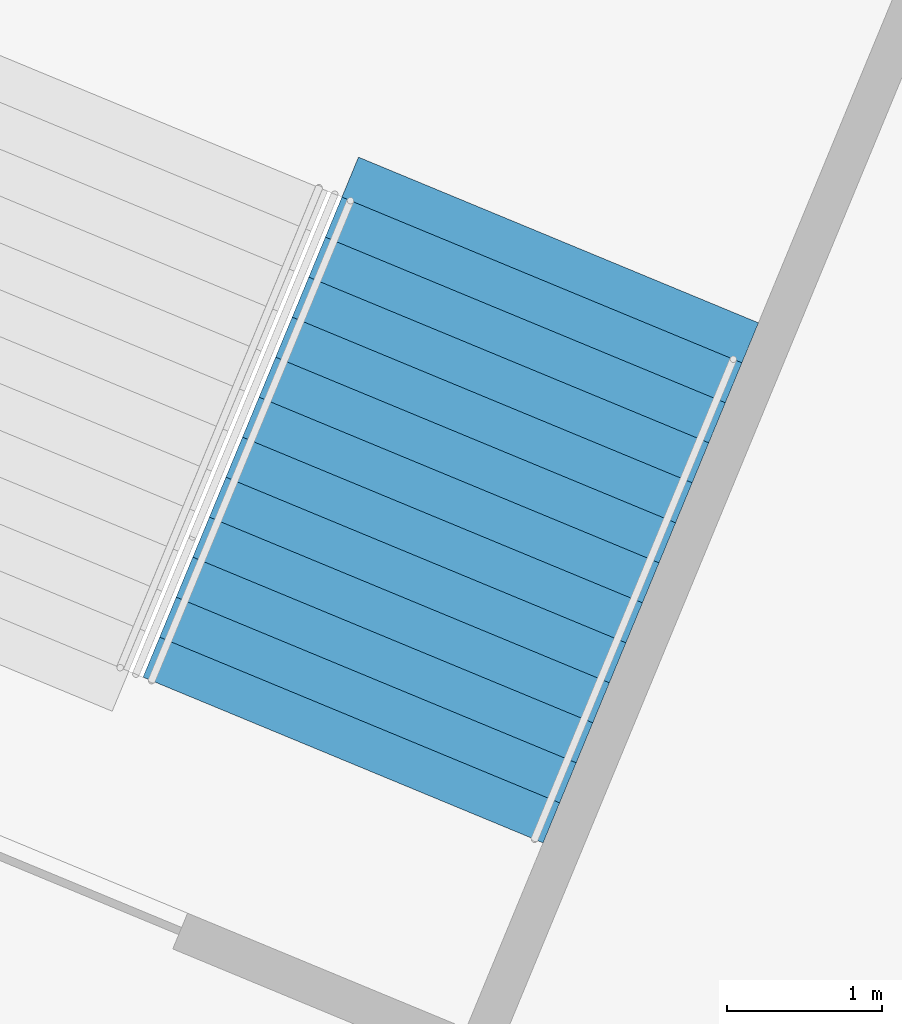
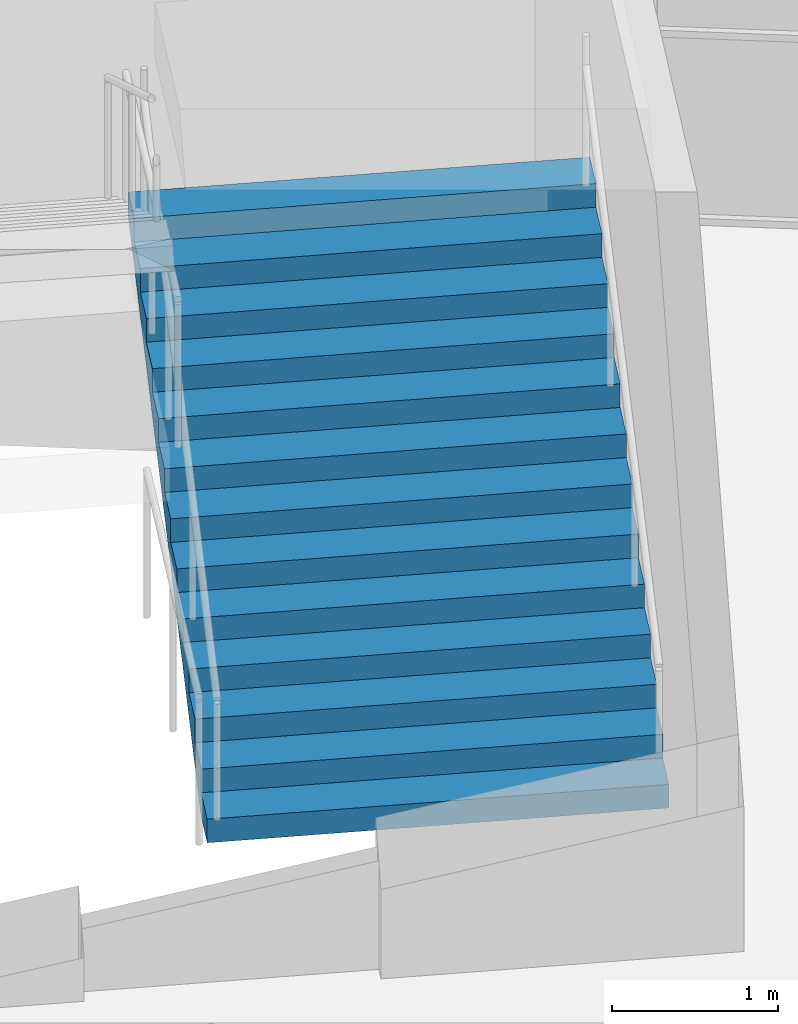
# One storey, part 232 of 249: 1 stair flight, 1 element without a shape of its own.
"""IFC4 building model written with IfcOpenShell, lengths in metres."""

from ifc_helpers import new_model, si_unit, direction, frame, origin, place, context, subcontext, project, spatial, faceted_brep, material, type_object, element, aggregate, save


model = new_model("IFC4")

# Units and contexts
model_context = context("Model", 3, precision=1e-05, world=origin(), true_north=direction((0.0, 1.0)))
body_context = subcontext(model_context, "Body", "Model", "MODEL_VIEW")
ifc_project = project(units=[si_unit("LENGTHUNIT", "METRE"), si_unit("AREAUNIT", "SQUARE_METRE"), si_unit("VOLUMEUNIT", "CUBIC_METRE"), si_unit("PLANEANGLEUNIT", "RADIAN"), si_unit("MASSUNIT", "GRAM", prefix="KILO")], contexts=[model_context])

# Site, building, storey
site_placement = place(None, origin())
site = spatial("IfcSite", under=ifc_project, at=site_placement, CompositionType="ELEMENT")
building_placement = place(site_placement, origin())
building = spatial("IfcBuilding", under=site, at=building_placement, Name="Ogive Plaza Stadium", CompositionType="ELEMENT")
storey_placement = place(building_placement, frame((0.0, 0.0, 13.5)))
storey = spatial("IfcBuildingStorey", under=building, at=storey_placement, Name="L03", CompositionType="ELEMENT", Elevation=13.5)

# Stair, stair flight
ifc_material_1 = material(Name="Concrete C40/50", Category="concrete")
stair_type = type_object("IfcStairType", Name="Exit stair", PredefinedType="STRAIGHT_RUN_STAIR", material=ifc_material_1)
stair_placement = place(storey_placement, origin())
stair = element("IfcStair", 1, at=stair_placement, inside=storey, type_object=stair_type, Name="Exit stair ST38A L03 to L04", PredefinedType="STRAIGHT_RUN_STAIR")
ifc_material_2 = material(Name="Concrete C40/50", Category="concrete")
stair_flight_type = type_object("IfcStairFlightType", Name="Exit stair flight", PredefinedType="STRAIGHT", material=ifc_material_2)
stair_flight_placement = place(storey_placement, frame((54.294921875, 89.932861328125, 0.0), z_axis=(0.0, 0.0, 1.0), x_axis=(0.382683432365, 0.923879532511, 0.0)))
stair_flight = element("IfcStairFlight", 2, at=stair_flight_placement, type_object=stair_flight_type, Name="ST38A flight 1", NumberOfRisers=13, NumberOfTreads=12, PredefinedType="STRAIGHT", RiserHeight=0.173076923, TreadLength=0.28, context=body_context, shape_type="Brep", body=[
    faceted_brep([(0.28515625, -1.39990234375, 0.0), (3.639892578125, -1.39990234375, 2.07373046875), (3.639892578125, -1.39990234375, 2.25), (3.360107421875, -1.39990234375, 2.25), (3.360107421875, -1.39990234375, 2.076904296875), (3.080078125, -1.39990234375, 2.076904296875), (3.080078125, -1.39990234375, 1.90380859375), (2.800048828125, -1.39990234375, 1.90380859375), (2.800048828125, -1.39990234375, 1.730712890625), (2.52001953125, -1.39990234375, 1.730712890625), (2.52001953125, -1.39990234375, 1.5576171875), (2.239990234375, -1.39990234375, 1.5576171875), (2.239990234375, -1.39990234375, 1.384521484375), (1.9599609375, -1.39990234375, 1.384521484375), (1.9599609375, -1.39990234375, 1.21142578125), (1.679931640625, -1.39990234375, 1.21142578125), (1.679931640625, -1.39990234375, 1.03857421875), (1.39990234375, -1.39990234375, 1.03857421875), (1.39990234375, -1.39990234375, 0.865478515625), (1.1201171875, -1.39990234375, 0.865478515625), (1.1201171875, -1.39990234375, 0.6923828125), (0.840087890625, -1.39990234375, 0.6923828125), (0.840087890625, -1.39990234375, 0.519287109375), (0.56005859375, -1.39990234375, 0.519287109375), (0.56005859375, -1.39990234375, 0.34619140625), (0.280029296875, -1.39990234375, 0.34619140625), (0.280029296875, -1.39990234375, 0.173095703125), (0.0, -1.39990234375, 0.173095703125), (0.0, -1.39990234375, 0.0), (0.0, 1.39990234375, 0.0), (0.0, 1.39990234375, 0.173095703125), (0.280029296875, 1.39990234375, 0.173095703125), (0.280029296875, 1.39990234375, 0.34619140625), (0.56005859375, 1.39990234375, 0.34619140625), (0.56005859375, 1.39990234375, 0.519287109375), (0.840087890625, 1.39990234375, 0.519287109375), (0.840087890625, 1.39990234375, 0.6923828125), (1.1201171875, 1.39990234375, 0.6923828125), (1.1201171875, 1.39990234375, 0.865478515625), (1.39990234375, 1.39990234375, 0.865478515625), (1.39990234375, 1.39990234375, 1.03857421875), (1.679931640625, 1.39990234375, 1.03857421875), (1.679931640625, 1.39990234375, 1.21142578125), (1.9599609375, 1.39990234375, 1.21142578125), (1.9599609375, 1.39990234375, 1.384521484375), (2.239990234375, 1.39990234375, 1.384521484375), (2.239990234375, 1.39990234375, 1.5576171875), (2.52001953125, 1.39990234375, 1.5576171875), (2.52001953125, 1.39990234375, 1.730712890625), (2.800048828125, 1.39990234375, 1.730712890625), (2.800048828125, 1.39990234375, 1.90380859375), (3.080078125, 1.39990234375, 1.90380859375), (3.080078125, 1.39990234375, 2.076904296875), (3.360107421875, 1.39990234375, 2.076904296875), (3.360107421875, 1.39990234375, 2.25), (3.639892578125, 1.39990234375, 2.25), (3.639892578125, 1.39990234375, 2.07373046875), (0.28515625, 1.39990234375, 0.0), (0.28515625, -1.0888671875, 0.0), (3.639892578125, -1.0888671875, 2.07373046875), (0.28515625, -0.77783203125, 0.0), (3.639892578125, -0.77783203125, 2.07373046875), (0.28515625, -0.466796875, 0.0), (3.639892578125, -0.466796875, 2.07373046875), (0.28515625, -0.155517578125, 0.0), (3.639892578125, -0.155517578125, 2.07373046875), (0.28515625, 0.155517578125, 0.0), (3.639892578125, 0.155517578125, 2.07373046875), (0.28515625, 0.466796875, 0.0), (3.639892578125, 0.466796875, 2.07373046875), (0.28515625, 0.77783203125, 0.0), (3.639892578125, 0.77783203125, 2.07373046875), (0.28515625, 1.0888671875, 0.0), (3.639892578125, 1.0888671875, 2.07373046875), (3.639892578125, -1.0888671875, 2.25), (3.639892578125, -0.77783203125, 2.25), (3.639892578125, -0.466796875, 2.25), (3.639892578125, -0.155517578125, 2.25), (3.639892578125, 0.155517578125, 2.25), (3.639892578125, 0.466796875, 2.25), (3.639892578125, 0.77783203125, 2.25), (3.639892578125, 1.0888671875, 2.25), (3.360107421875, -1.0888671875, 2.25), (3.360107421875, -0.77783203125, 2.25), (3.360107421875, -0.466796875, 2.25), (3.360107421875, -0.155517578125, 2.25), (3.360107421875, 0.155517578125, 2.25), (3.360107421875, 0.466796875, 2.25), (3.360107421875, 0.77783203125, 2.25), (3.360107421875, 1.0888671875, 2.25), (3.360107421875, -1.0888671875, 2.076904296875), (3.360107421875, -0.77783203125, 2.076904296875), (3.360107421875, -0.466796875, 2.076904296875), (3.360107421875, -0.155517578125, 2.076904296875), (3.360107421875, 0.155517578125, 2.076904296875), (3.360107421875, 0.466796875, 2.076904296875), (3.360107421875, 0.77783203125, 2.076904296875), (3.360107421875, 1.0888671875, 2.076904296875), (3.080078125, -1.0888671875, 2.076904296875), (3.080078125, -0.77783203125, 2.076904296875), (3.080078125, -0.466796875, 2.076904296875), (3.080078125, -0.155517578125, 2.076904296875), (3.080078125, 0.155517578125, 2.076904296875), (3.080078125, 0.466796875, 2.076904296875), (3.080078125, 0.77783203125, 2.076904296875), (3.080078125, 1.0888671875, 2.076904296875), (3.080078125, -1.0888671875, 1.90380859375), (3.080078125, -0.77783203125, 1.90380859375), (3.080078125, -0.466796875, 1.90380859375), (3.080078125, -0.155517578125, 1.90380859375), (3.080078125, 0.155517578125, 1.90380859375), (3.080078125, 0.466796875, 1.90380859375), (3.080078125, 0.77783203125, 1.90380859375), (3.080078125, 1.0888671875, 1.90380859375), (2.800048828125, -1.0888671875, 1.90380859375), (2.800048828125, -0.77783203125, 1.90380859375), (2.800048828125, -0.466796875, 1.90380859375), (2.800048828125, -0.155517578125, 1.90380859375), (2.800048828125, 0.155517578125, 1.90380859375), (2.800048828125, 0.466796875, 1.90380859375), (2.800048828125, 0.77783203125, 1.90380859375), (2.800048828125, 1.0888671875, 1.90380859375), (2.800048828125, -1.0888671875, 1.730712890625), (2.800048828125, -0.77783203125, 1.730712890625), (2.800048828125, -0.466796875, 1.730712890625), (2.800048828125, -0.155517578125, 1.730712890625), (2.800048828125, 0.155517578125, 1.730712890625), (2.800048828125, 0.466796875, 1.730712890625), (2.800048828125, 0.77783203125, 1.730712890625), (2.800048828125, 1.0888671875, 1.730712890625), (2.52001953125, -1.0888671875, 1.730712890625), (2.52001953125, -0.77783203125, 1.730712890625), (2.52001953125, -0.466796875, 1.730712890625), (2.52001953125, -0.155517578125, 1.730712890625), (2.52001953125, 0.155517578125, 1.730712890625), (2.52001953125, 0.466796875, 1.730712890625), (2.52001953125, 0.77783203125, 1.730712890625), (2.52001953125, 1.0888671875, 1.730712890625), (2.52001953125, -1.0888671875, 1.5576171875), (2.52001953125, -0.77783203125, 1.5576171875), (2.52001953125, -0.466796875, 1.5576171875), (2.52001953125, -0.155517578125, 1.5576171875), (2.52001953125, 0.155517578125, 1.5576171875), (2.52001953125, 0.466796875, 1.5576171875), (2.52001953125, 0.77783203125, 1.5576171875), (2.52001953125, 1.0888671875, 1.5576171875), (2.239990234375, -1.0888671875, 1.5576171875), (2.239990234375, -0.77783203125, 1.5576171875), (2.239990234375, -0.466796875, 1.5576171875), (2.239990234375, -0.155517578125, 1.5576171875), (2.239990234375, 0.155517578125, 1.5576171875), (2.239990234375, 0.466796875, 1.5576171875), (2.239990234375, 0.77783203125, 1.5576171875), (2.239990234375, 1.0888671875, 1.5576171875), (2.239990234375, -1.0888671875, 1.384521484375), (2.239990234375, -0.77783203125, 1.384521484375), (2.239990234375, -0.466796875, 1.384521484375), (2.239990234375, -0.155517578125, 1.384521484375), (2.239990234375, 0.155517578125, 1.384521484375), (2.239990234375, 0.466796875, 1.384521484375), (2.239990234375, 0.77783203125, 1.384521484375), (2.239990234375, 1.0888671875, 1.384521484375), (1.9599609375, -1.0888671875, 1.384521484375), (1.9599609375, -0.77783203125, 1.384521484375), (1.9599609375, -0.466796875, 1.384521484375), (1.9599609375, -0.155517578125, 1.384521484375), (1.9599609375, 0.155517578125, 1.384521484375), (1.9599609375, 0.466796875, 1.384521484375), (1.9599609375, 0.77783203125, 1.384521484375), (1.9599609375, 1.0888671875, 1.384521484375), (1.9599609375, -1.0888671875, 1.21142578125), (1.9599609375, -0.77783203125, 1.21142578125), (1.9599609375, -0.466796875, 1.21142578125), (1.9599609375, -0.155517578125, 1.21142578125), (1.9599609375, 0.155517578125, 1.21142578125), (1.9599609375, 0.466796875, 1.21142578125), (1.9599609375, 0.77783203125, 1.21142578125), (1.9599609375, 1.0888671875, 1.21142578125), (1.679931640625, -1.0888671875, 1.21142578125), (1.679931640625, -0.77783203125, 1.21142578125), (1.679931640625, -0.466796875, 1.21142578125), (1.679931640625, -0.155517578125, 1.21142578125), (1.679931640625, 0.155517578125, 1.21142578125), (1.679931640625, 0.466796875, 1.21142578125), (1.679931640625, 0.77783203125, 1.21142578125), (1.679931640625, 1.0888671875, 1.21142578125), (1.679931640625, -1.0888671875, 1.03857421875), (1.679931640625, -0.77783203125, 1.03857421875), (1.679931640625, -0.466796875, 1.03857421875), (1.679931640625, -0.155517578125, 1.03857421875), (1.679931640625, 0.155517578125, 1.03857421875), (1.679931640625, 0.466796875, 1.03857421875), (1.679931640625, 0.77783203125, 1.03857421875), (1.679931640625, 1.0888671875, 1.03857421875), (1.39990234375, -1.0888671875, 1.03857421875), (1.39990234375, -0.77783203125, 1.03857421875), (1.39990234375, -0.466796875, 1.03857421875), (1.39990234375, -0.155517578125, 1.03857421875), (1.39990234375, 0.155517578125, 1.03857421875), (1.39990234375, 0.466796875, 1.03857421875), (1.39990234375, 0.77783203125, 1.03857421875), (1.39990234375, 1.0888671875, 1.03857421875), (1.39990234375, -1.0888671875, 0.865478515625), (1.39990234375, -0.77783203125, 0.865478515625), (1.39990234375, -0.466796875, 0.865478515625), (1.39990234375, -0.155517578125, 0.865478515625), (1.39990234375, 0.155517578125, 0.865478515625), (1.39990234375, 0.466796875, 0.865478515625), (1.39990234375, 0.77783203125, 0.865478515625), (1.39990234375, 1.0888671875, 0.865478515625), (1.1201171875, -1.0888671875, 0.865478515625), (1.1201171875, -0.77783203125, 0.865478515625), (1.1201171875, -0.466796875, 0.865478515625), (1.1201171875, -0.155517578125, 0.865478515625), (1.1201171875, 0.155517578125, 0.865478515625), (1.1201171875, 0.466796875, 0.865478515625), (1.1201171875, 0.77783203125, 0.865478515625), (1.1201171875, 1.0888671875, 0.865478515625), (1.1201171875, -1.0888671875, 0.6923828125), (1.1201171875, -0.77783203125, 0.6923828125), (1.1201171875, -0.466796875, 0.6923828125), (1.1201171875, -0.155517578125, 0.6923828125), (1.1201171875, 0.155517578125, 0.6923828125), (1.1201171875, 0.466796875, 0.6923828125), (1.1201171875, 0.77783203125, 0.6923828125), (1.1201171875, 1.0888671875, 0.6923828125), (0.840087890625, -1.0888671875, 0.6923828125), (0.840087890625, -0.77783203125, 0.6923828125), (0.840087890625, -0.466796875, 0.6923828125), (0.840087890625, -0.155517578125, 0.6923828125), (0.840087890625, 0.155517578125, 0.6923828125), (0.840087890625, 0.466796875, 0.6923828125), (0.840087890625, 0.77783203125, 0.6923828125), (0.840087890625, 1.0888671875, 0.6923828125), (0.840087890625, -1.0888671875, 0.519287109375), (0.840087890625, -0.77783203125, 0.519287109375), (0.840087890625, -0.466796875, 0.519287109375), (0.840087890625, -0.155517578125, 0.519287109375), (0.840087890625, 0.155517578125, 0.519287109375), (0.840087890625, 0.466796875, 0.519287109375), (0.840087890625, 0.77783203125, 0.519287109375), (0.840087890625, 1.0888671875, 0.519287109375), (0.56005859375, -1.0888671875, 0.519287109375), (0.56005859375, -0.77783203125, 0.519287109375), (0.56005859375, -0.466796875, 0.519287109375), (0.56005859375, -0.155517578125, 0.519287109375), (0.56005859375, 0.155517578125, 0.519287109375), (0.56005859375, 0.466796875, 0.519287109375), (0.56005859375, 0.77783203125, 0.519287109375), (0.56005859375, 1.0888671875, 0.519287109375), (0.56005859375, -1.0888671875, 0.34619140625), (0.56005859375, -0.77783203125, 0.34619140625), (0.56005859375, -0.466796875, 0.34619140625), (0.56005859375, -0.155517578125, 0.34619140625), (0.56005859375, 0.155517578125, 0.34619140625), (0.56005859375, 0.466796875, 0.34619140625), (0.56005859375, 0.77783203125, 0.34619140625), (0.56005859375, 1.0888671875, 0.34619140625), (0.280029296875, -1.0888671875, 0.34619140625), (0.280029296875, -0.77783203125, 0.34619140625), (0.280029296875, -0.466796875, 0.34619140625), (0.280029296875, -0.155517578125, 0.34619140625), (0.280029296875, 0.155517578125, 0.34619140625), (0.280029296875, 0.466796875, 0.34619140625), (0.280029296875, 0.77783203125, 0.34619140625), (0.280029296875, 1.0888671875, 0.34619140625), (0.280029296875, -1.0888671875, 0.173095703125), (0.280029296875, -0.77783203125, 0.173095703125), (0.280029296875, -0.466796875, 0.173095703125), (0.280029296875, -0.155517578125, 0.173095703125), (0.280029296875, 0.155517578125, 0.173095703125), (0.280029296875, 0.466796875, 0.173095703125), (0.280029296875, 0.77783203125, 0.173095703125), (0.280029296875, 1.0888671875, 0.173095703125), (0.0, -1.0888671875, 0.173095703125), (0.0, -0.77783203125, 0.173095703125), (0.0, -0.466796875, 0.173095703125), (0.0, -0.155517578125, 0.173095703125), (0.0, 0.155517578125, 0.173095703125), (0.0, 0.466796875, 0.173095703125), (0.0, 0.77783203125, 0.173095703125), (0.0, 1.0888671875, 0.173095703125), (0.0, -1.0888671875, 0.0), (0.0, -0.77783203125, 0.0), (0.0, -0.466796875, 0.0), (0.0, -0.155517578125, 0.0), (0.0, 0.155517578125, 0.0), (0.0, 0.466796875, 0.0), (0.0, 0.77783203125, 0.0), (0.0, 1.0888671875, 0.0)], [[[0, 1, 2, 3, 4, 5, 6, 7, 8, 9, 10, 11, 12, 13, 14, 15, 16, 17, 18, 19, 20, 21, 22, 23, 24, 25, 26, 27, 28]], [[29, 30, 31, 32, 33, 34, 35, 36, 37, 38, 39, 40, 41, 42, 43, 44, 45, 46, 47, 48, 49, 50, 51, 52, 53, 54, 55, 56, 57]], [[0, 58, 59, 1]], [[58, 60, 61, 59]], [[60, 62, 63, 61]], [[62, 64, 65, 63]], [[64, 66, 67, 65]], [[66, 68, 69, 67]], [[68, 70, 71, 69]], [[70, 72, 73, 71]], [[72, 57, 56, 73]], [[1, 59, 74, 2]], [[59, 61, 75, 74]], [[61, 63, 76, 75]], [[63, 65, 77, 76]], [[65, 67, 78, 77]], [[67, 69, 79, 78]], [[69, 71, 80, 79]], [[71, 73, 81, 80]], [[73, 56, 55, 81]], [[2, 74, 82, 3]], [[74, 75, 83, 82]], [[75, 76, 84, 83]], [[76, 77, 85, 84]], [[77, 78, 86, 85]], [[78, 79, 87, 86]], [[79, 80, 88, 87]], [[80, 81, 89, 88]], [[81, 55, 54, 89]], [[3, 82, 90, 4]], [[82, 83, 91, 90]], [[83, 84, 92, 91]], [[84, 85, 93, 92]], [[85, 86, 94, 93]], [[86, 87, 95, 94]], [[87, 88, 96, 95]], [[88, 89, 97, 96]], [[89, 54, 53, 97]], [[4, 90, 98, 5]], [[90, 91, 99, 98]], [[91, 92, 100, 99]], [[92, 93, 101, 100]], [[93, 94, 102, 101]], [[94, 95, 103, 102]], [[95, 96, 104, 103]], [[96, 97, 105, 104]], [[97, 53, 52, 105]], [[5, 98, 106, 6]], [[98, 99, 107, 106]], [[99, 100, 108, 107]], [[100, 101, 109, 108]], [[101, 102, 110, 109]], [[102, 103, 111, 110]], [[103, 104, 112, 111]], [[104, 105, 113, 112]], [[105, 52, 51, 113]], [[6, 106, 114, 7]], [[106, 107, 115, 114]], [[107, 108, 116, 115]], [[108, 109, 117, 116]], [[109, 110, 118, 117]], [[110, 111, 119, 118]], [[111, 112, 120, 119]], [[112, 113, 121, 120]], [[113, 51, 50, 121]], [[7, 114, 122, 8]], [[114, 115, 123, 122]], [[115, 116, 124, 123]], [[116, 117, 125, 124]], [[117, 118, 126, 125]], [[118, 119, 127, 126]], [[119, 120, 128, 127]], [[120, 121, 129, 128]], [[121, 50, 49, 129]], [[8, 122, 130, 9]], [[122, 123, 131, 130]], [[123, 124, 132, 131]], [[124, 125, 133, 132]], [[125, 126, 134, 133]], [[126, 127, 135, 134]], [[127, 128, 136, 135]], [[128, 129, 137, 136]], [[129, 49, 48, 137]], [[9, 130, 138, 10]], [[130, 131, 139, 138]], [[131, 132, 140, 139]], [[132, 133, 141, 140]], [[133, 134, 142, 141]], [[134, 135, 143, 142]], [[135, 136, 144, 143]], [[136, 137, 145, 144]], [[137, 48, 47, 145]], [[10, 138, 146, 11]], [[138, 139, 147, 146]], [[139, 140, 148, 147]], [[140, 141, 149, 148]], [[141, 142, 150, 149]], [[142, 143, 151, 150]], [[143, 144, 152, 151]], [[144, 145, 153, 152]], [[145, 47, 46, 153]], [[11, 146, 154, 12]], [[146, 147, 155, 154]], [[147, 148, 156, 155]], [[148, 149, 157, 156]], [[149, 150, 158, 157]], [[150, 151, 159, 158]], [[151, 152, 160, 159]], [[152, 153, 161, 160]], [[153, 46, 45, 161]], [[12, 154, 162, 13]], [[154, 155, 163, 162]], [[155, 156, 164, 163]], [[156, 157, 165, 164]], [[157, 158, 166, 165]], [[158, 159, 167, 166]], [[159, 160, 168, 167]], [[160, 161, 169, 168]], [[161, 45, 44, 169]], [[13, 162, 170, 14]], [[162, 163, 171, 170]], [[163, 164, 172, 171]], [[164, 165, 173, 172]], [[165, 166, 174, 173]], [[166, 167, 175, 174]], [[167, 168, 176, 175]], [[168, 169, 177, 176]], [[169, 44, 43, 177]], [[14, 170, 178, 15]], [[170, 171, 179, 178]], [[171, 172, 180, 179]], [[172, 173, 181, 180]], [[173, 174, 182, 181]], [[174, 175, 183, 182]], [[175, 176, 184, 183]], [[176, 177, 185, 184]], [[177, 43, 42, 185]], [[15, 178, 186, 16]], [[178, 179, 187, 186]], [[179, 180, 188, 187]], [[180, 181, 189, 188]], [[181, 182, 190, 189]], [[182, 183, 191, 190]], [[183, 184, 192, 191]], [[184, 185, 193, 192]], [[185, 42, 41, 193]], [[16, 186, 194, 17]], [[186, 187, 195, 194]], [[187, 188, 196, 195]], [[188, 189, 197, 196]], [[189, 190, 198, 197]], [[190, 191, 199, 198]], [[191, 192, 200, 199]], [[192, 193, 201, 200]], [[193, 41, 40, 201]], [[17, 194, 202, 18]], [[194, 195, 203, 202]], [[195, 196, 204, 203]], [[196, 197, 205, 204]], [[197, 198, 206, 205]], [[198, 199, 207, 206]], [[199, 200, 208, 207]], [[200, 201, 209, 208]], [[201, 40, 39, 209]], [[18, 202, 210, 19]], [[202, 203, 211, 210]], [[203, 204, 212, 211]], [[204, 205, 213, 212]], [[205, 206, 214, 213]], [[206, 207, 215, 214]], [[207, 208, 216, 215]], [[208, 209, 217, 216]], [[209, 39, 38, 217]], [[19, 210, 218, 20]], [[210, 211, 219, 218]], [[211, 212, 220, 219]], [[212, 213, 221, 220]], [[213, 214, 222, 221]], [[214, 215, 223, 222]], [[215, 216, 224, 223]], [[216, 217, 225, 224]], [[217, 38, 37, 225]], [[20, 218, 226, 21]], [[218, 219, 227, 226]], [[219, 220, 228, 227]], [[220, 221, 229, 228]], [[221, 222, 230, 229]], [[222, 223, 231, 230]], [[223, 224, 232, 231]], [[224, 225, 233, 232]], [[225, 37, 36, 233]], [[21, 226, 234, 22]], [[226, 227, 235, 234]], [[227, 228, 236, 235]], [[228, 229, 237, 236]], [[229, 230, 238, 237]], [[230, 231, 239, 238]], [[231, 232, 240, 239]], [[232, 233, 241, 240]], [[233, 36, 35, 241]], [[22, 234, 242, 23]], [[234, 235, 243, 242]], [[235, 236, 244, 243]], [[236, 237, 245, 244]], [[237, 238, 246, 245]], [[238, 239, 247, 246]], [[239, 240, 248, 247]], [[240, 241, 249, 248]], [[241, 35, 34, 249]], [[23, 242, 250, 24]], [[242, 243, 251, 250]], [[243, 244, 252, 251]], [[244, 245, 253, 252]], [[245, 246, 254, 253]], [[246, 247, 255, 254]], [[247, 248, 256, 255]], [[248, 249, 257, 256]], [[249, 34, 33, 257]], [[24, 250, 258, 25]], [[250, 251, 259, 258]], [[251, 252, 260, 259]], [[252, 253, 261, 260]], [[253, 254, 262, 261]], [[254, 255, 263, 262]], [[255, 256, 264, 263]], [[256, 257, 265, 264]], [[257, 33, 32, 265]], [[25, 258, 266, 26]], [[258, 259, 267, 266]], [[259, 260, 268, 267]], [[260, 261, 269, 268]], [[261, 262, 270, 269]], [[262, 263, 271, 270]], [[263, 264, 272, 271]], [[264, 265, 273, 272]], [[265, 32, 31, 273]], [[26, 266, 274, 27]], [[266, 267, 275, 274]], [[267, 268, 276, 275]], [[268, 269, 277, 276]], [[269, 270, 278, 277]], [[270, 271, 279, 278]], [[271, 272, 280, 279]], [[272, 273, 281, 280]], [[273, 31, 30, 281]], [[27, 274, 282, 28]], [[274, 275, 283, 282]], [[275, 276, 284, 283]], [[276, 277, 285, 284]], [[277, 278, 286, 285]], [[278, 279, 287, 286]], [[279, 280, 288, 287]], [[280, 281, 289, 288]], [[281, 30, 29, 289]], [[28, 282, 58, 0]], [[282, 283, 60, 58]], [[283, 284, 62, 60]], [[284, 285, 64, 62]], [[285, 286, 66, 64]], [[286, 287, 68, 66]], [[287, 288, 70, 68]], [[288, 289, 72, 70]], [[289, 29, 57, 72]]]),
])
aggregate(stair, [stair_flight])

save(model, "model.ifc")
